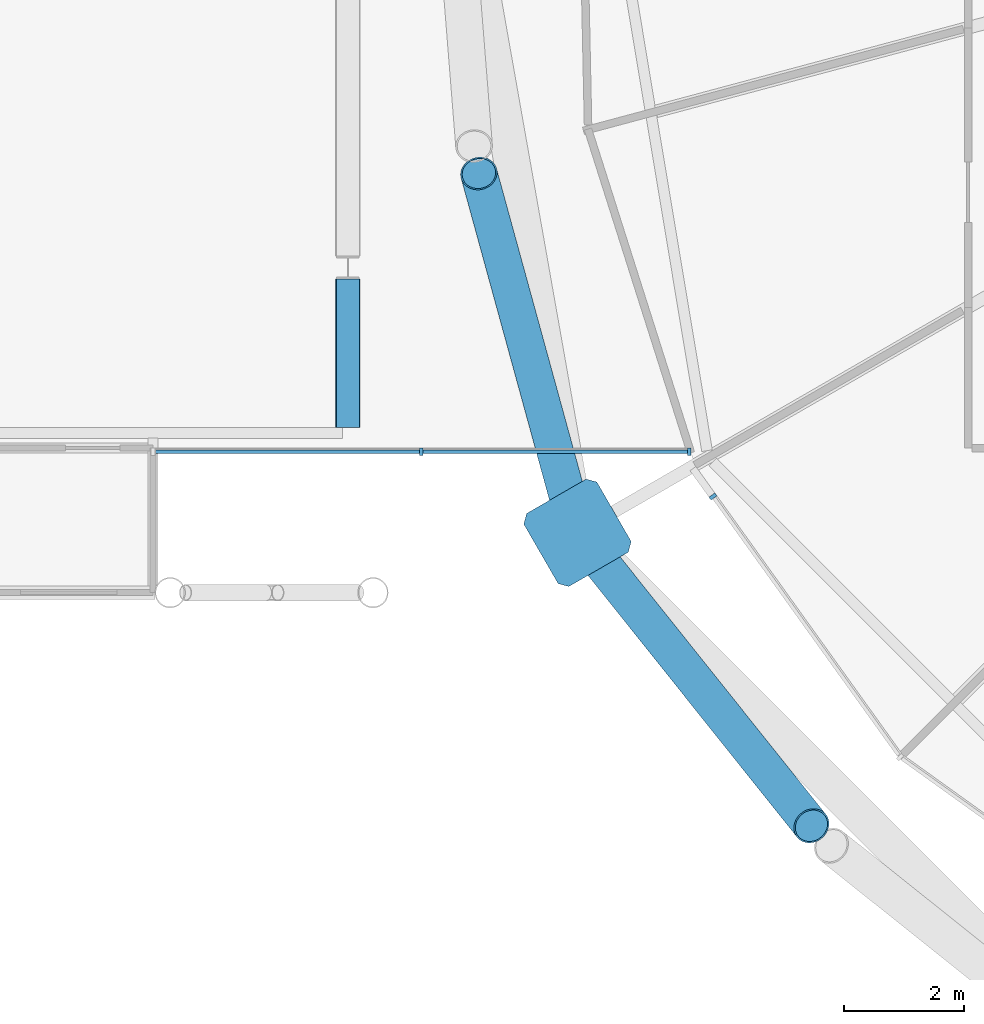
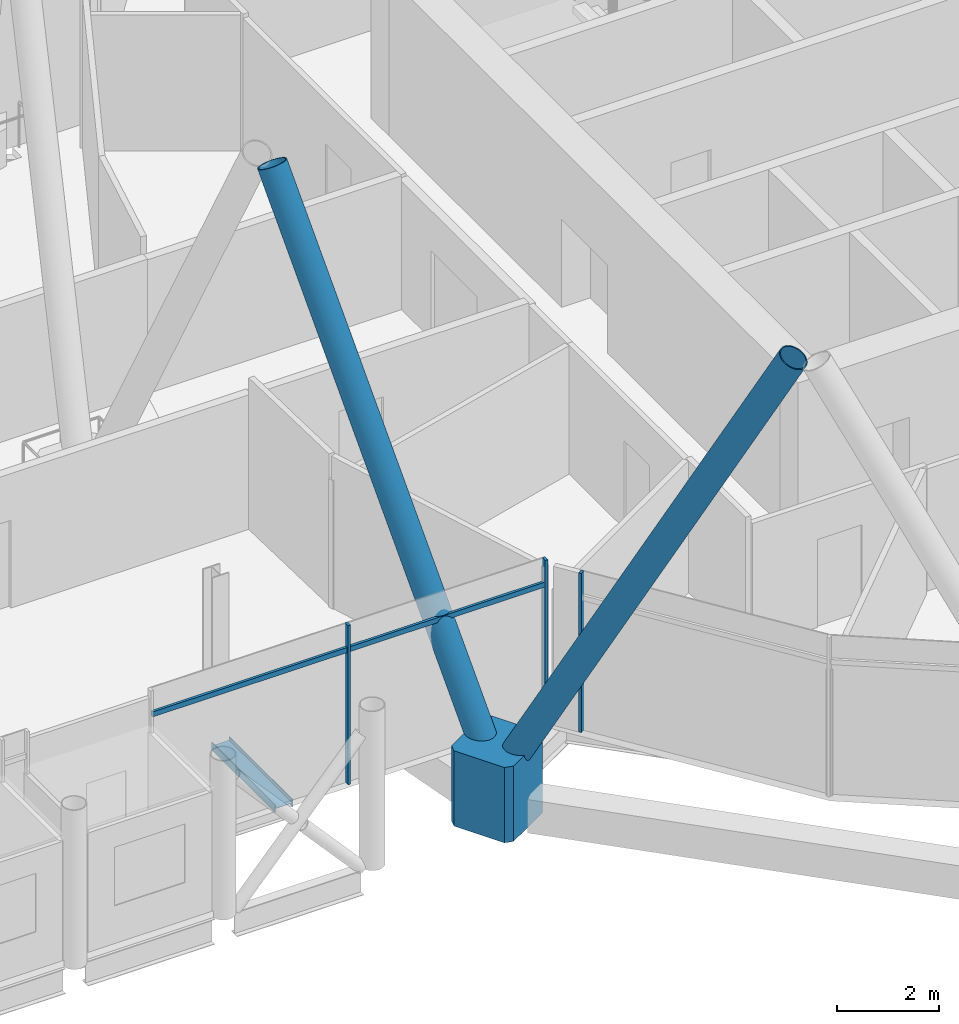
# One storey, part 7 of 35: 8 members, 1 beam, 2 elements without a shape of their own.
"""IFC4 building model written with IfcOpenShell, lengths in metres."""

from ifc_helpers import new_model, si_unit, direction, frame, origin, origin_2d, place, context, subcontext, project, spatial, polyline, rectangle, hollow_circle, i_section, outline, extrude, material, material_profile, profile_set, type_object, element, aggregate, save


model = new_model("IFC4")

# Units and contexts
model_context = context("Model", 3, precision=1e-05, world=origin(), true_north=direction((0.0, 1.0)))
body_context = subcontext(model_context, "Body", "Model", "MODEL_VIEW")
ifc_project = project(units=[si_unit("LENGTHUNIT", "METRE"), si_unit("AREAUNIT", "SQUARE_METRE"), si_unit("VOLUMEUNIT", "CUBIC_METRE"), si_unit("PLANEANGLEUNIT", "RADIAN"), si_unit("MASSUNIT", "GRAM", prefix="KILO")], contexts=[model_context])

# Site, building, storey
site_placement = place(None, origin())
site = spatial("IfcSite", under=ifc_project, at=site_placement, CompositionType="ELEMENT")
building_placement = place(site_placement, origin())
building = spatial("IfcBuilding", under=site, at=building_placement, Name="Rimbun Link Towers", CompositionType="ELEMENT")
storey_placement = place(building_placement, frame((0.0, 0.0, 146.800048828125)))
storey = spatial("IfcBuildingStorey", under=building, at=storey_placement, Name="L35", CompositionType="ELEMENT", Elevation=146.800048828125)

# Curtain wall, member
ifc_material_1 = material(Name="Aluminium 6063-T6 and low-iron glass", Category="aluminium")
curtain_wall_type = type_object("IfcCurtainWallType", Name="CW4 link block wall", PredefinedType="NOTDEFINED", material=ifc_material_1)
curtain_wall_1_placement = place(storey_placement, origin())
curtain_wall_1 = element("IfcCurtainWall", 1, at=curtain_wall_1_placement, inside=storey, type_object=curtain_wall_type, Name="CW4 L35 T2", PredefinedType="NOTDEFINED")
ifc_material_2 = material(Name="Aluminium 6063-T6", Category="aluminium")
ifc_material_profile_1 = material_profile(ifc_material_2, rectangle(XDim=0.1201171875, YDim=0.06005859375, at=origin_2d()), Name="MULLION 60X120")
ifc_profile_set_1 = profile_set([ifc_material_profile_1], Name="Aluminium 6063-T6")
member_type_1 = type_object("IfcMemberType", Name="CW4 mullion 60X120", PredefinedType="MULLION", material=ifc_profile_set_1)
member_1_placement = place(storey_placement, frame((12.51171875, -11.803466796875, 0.0), z_axis=(0.0, 0.0, 1.0), x_axis=(-0.81246534364, -0.58300948996, 0.0)))
member_1 = element("IfcMember", 2, at=member_1_placement, type_object=member_type_1, Name="CW4 mullion", PredefinedType="MULLION", context=body_context, shape_type="SweptSolid", body=[
    extrude(rectangle(XDim=0.1201171875, YDim=0.06005859375, at=origin_2d()), origin(), (0.0, 0.0, 1.0), 3.800048828125),
])
aggregate(curtain_wall_1, [member_1])

# Curtain wall, members
curtain_wall_2_placement = place(storey_placement, origin())
curtain_wall_2 = element("IfcCurtainWall", 3, at=curtain_wall_2_placement, inside=storey, type_object=curtain_wall_type, Name="CW4 L35 LB", PredefinedType="NOTDEFINED")
member_2_placement = place(storey_placement, frame((12.121337890625, -11.06005859375, 0.0), z_axis=(0.0, 0.0, 1.0), x_axis=(0.0, -1.0, 0.0)))
member_2 = element("IfcMember", 4, at=member_2_placement, type_object=member_type_1, Name="CW4 mullion", PredefinedType="MULLION", context=body_context, shape_type="SweptSolid", body=[
    extrude(rectangle(XDim=0.1201171875, YDim=0.06005859375, at=origin_2d()), origin(), (0.0, 0.0, 1.0), 3.800048828125),
])
member_3_placement = place(storey_placement, frame((7.667236328125, -11.06005859375, 0.0), z_axis=(0.0, 0.0, 1.0), x_axis=(0.0, -1.0, 0.0)))
member_3 = element("IfcMember", 5, at=member_3_placement, type_object=member_type_1, Name="CW4 mullion", PredefinedType="MULLION", context=body_context, shape_type="SweptSolid", body=[
    extrude(rectangle(XDim=0.1201171875, YDim=0.06005859375, at=origin_2d()), origin(), (0.0, 0.0, 1.0), 3.800048828125),
])
ifc_material_3 = material(Name="Aluminium 6063-T6", Category="aluminium")
ifc_material_profile_2 = material_profile(ifc_material_3, rectangle(XDim=0.06005859375, YDim=0.1201171875, at=origin_2d()), Name="TRANSOM 60X120")
ifc_profile_set_2 = profile_set([ifc_material_profile_2], Name="Aluminium 6063-T6")
member_type_2 = type_object("IfcMemberType", Name="CW4 transom 60X120", PredefinedType="USERDEFINED", material=ifc_profile_set_2)
member_4_placement = place(storey_placement, frame((12.09130859375, -11.05810546875, 3.199951171875), z_axis=(-1.0, 0.0, 0.0), x_axis=(0.0, -1.0, 0.0)))
member_4 = element("IfcMember", 6, at=member_4_placement, type_object=member_type_2, Name="CW4 transom", ObjectType="TRANSOM", PredefinedType="USERDEFINED", context=body_context, shape_type="SweptSolid", body=[
    extrude(rectangle(XDim=0.06005859375, YDim=0.1201171875, at=origin_2d()), origin(), (0.0, 0.0, 1.0), 4.39404296875),
])
member_5_placement = place(storey_placement, frame((7.63720703125, -11.05810546875, 3.199951171875), z_axis=(-1.0, 0.0, 0.0), x_axis=(0.0, -1.0, 0.0)))
member_5 = element("IfcMember", 7, at=member_5_placement, type_object=member_type_2, Name="CW4 transom", ObjectType="TRANSOM", PredefinedType="USERDEFINED", context=body_context, shape_type="SweptSolid", body=[
    extrude(rectangle(XDim=0.06005859375, YDim=0.1201171875, at=origin_2d()), origin(), (0.0, 0.0, 1.0), 4.393798828125),
])
aggregate(curtain_wall_2, [member_2, member_3, member_4, member_5])

# Members
ifc_material_4 = material(Name="Steel S355J2H", Category="steel")
ifc_material_profile_3 = material_profile(ifc_material_4, hollow_circle(Radius=0.3046875, WallThickness=0.02490234375, at=origin_2d()), Name="Diagrid diagonal CHS 610x25")
ifc_profile_set_3 = profile_set([ifc_material_profile_3], Name="Steel S355J2H")
member_type_3 = type_object("IfcMemberType", Name="Diagrid diagonal CHS 610x25", PredefinedType="BRACE", material=ifc_profile_set_3)
member_6_placement = place(storey_placement, frame((10.2001953125, -12.179931640625, 0.441650390625), z_axis=(-0.124046126898, 0.452099298512, 0.883299939254), x_axis=(-0.964358573612, -0.264598831254, 0.0)))
element("IfcMember", 8, at=member_6_placement, inside=storey, type_object=member_type_3, Name="Diagrid diagonal T2 L35-L38 11a", PredefinedType="BRACE", context=body_context, shape_type="SweptSolid", body=[
    extrude(hollow_circle(Radius=0.3046875, WallThickness=0.02490234375, at=origin_2d()), origin(), (0.0, 0.0, 1.0), 12.698486328125),
])
member_7_placement = place(storey_placement, frame((10.4091796875, -12.590087890625, 0.44091796875), z_axis=(0.293948415283, -0.368107423135, 0.882094810202), x_axis=(0.781425116082, 0.623999028811, 0.0)))
element("IfcMember", 9, at=member_7_placement, inside=storey, type_object=member_type_3, Name="Diagrid diagonal T2 L35-L38 11b", PredefinedType="BRACE", context=body_context, shape_type="SweptSolid", body=[
    extrude(hollow_circle(Radius=0.3046875, WallThickness=0.02490234375, at=origin_2d()), origin(), (0.0, 0.0, 1.0), 12.717529296875),
])
ifc_material_5 = material(Name="Cast steel G20Mn5+QT, Rp0.2 300 MPa", Category="steel")
ifc_material_profile_4 = material_profile(ifc_material_5, outline(polyline([(0.699951171875, -0.570068359375), (0.699951171875, 0.570068359375), (0.570068359375, 0.699951171875), (-0.570068359375, 0.699951171875), (-0.699951171875, 0.570068359375), (-0.699951171875, -0.570068359375), (-0.570068359375, -0.699951171875), (0.570068359375, -0.699951171875), (0.699951171875, -0.570068359375)])), Name="NODE 1400x1400")
ifc_profile_set_4 = profile_set([ifc_material_profile_4], Name="Cast steel G20Mn5+QT, Rp0.2 300 MPa")
member_type_4 = type_object("IfcMemberType", Name="Diagrid node cast 1400", PredefinedType="USERDEFINED", material=ifc_profile_set_4)
member_8_placement = place(storey_placement, frame((10.26220703125, -12.406005859375, -0.900146484375), z_axis=(0.0, 0.0, 1.0), x_axis=(-0.866025403784, -0.5, 0.0)))
element("IfcMember", 10, at=member_8_placement, inside=storey, type_object=member_type_4, Name="Diagrid node L35 11", ObjectType="Diagrid node", PredefinedType="USERDEFINED", context=body_context, shape_type="SweptSolid", body=[
    extrude(outline(polyline([(0.699951171875, -0.570068359375), (0.699951171875, 0.570068359375), (0.570068359375, 0.699951171875), (-0.570068359375, 0.699951171875), (-0.699951171875, 0.570068359375), (-0.699951171875, -0.570068359375), (-0.570068359375, -0.699951171875), (0.570068359375, -0.699951171875), (0.699951171875, -0.570068359375)])), origin(), (0.0, 0.0, 1.0), 1.800048828125),
])

# Beam
ifc_material_6 = material(Name="Steel S355J2", Category="steel")
ifc_material_profile_5 = material_profile(ifc_material_6, i_section(OverallWidth=0.177978515625, OverallDepth=0.406494140625, WebThickness=0.0078125, FlangeThickness=0.0126953125, at=origin_2d()), Name="UKB 406x178x60")
ifc_profile_set_5 = profile_set([ifc_material_profile_5], Name="Steel S355J2")
beam_type = type_object("IfcBeamType", Name="Link floor beam UKB 406x178x60", PredefinedType="BEAM", material=ifc_profile_set_5)
beam_placement = place(storey_placement, frame((6.449951171875, -10.660888671875, -0.36328125), z_axis=(0.0, 1.0, 0.0), x_axis=(0.0, 0.0, 1.0)))
element("IfcBeam", 11, at=beam_placement, inside=storey, type_object=beam_type, Name="Link floor beam L35 08", PredefinedType="BEAM", context=body_context, shape_type="SweptSolid", body=[
    extrude(i_section(OverallWidth=0.177978515625, OverallDepth=0.406494140625, WebThickness=0.0078125, FlangeThickness=0.0126953125, at=origin_2d()), origin(), (0.0, 0.0, 1.0), 2.473388671875),
])

save(model, "model.ifc")
